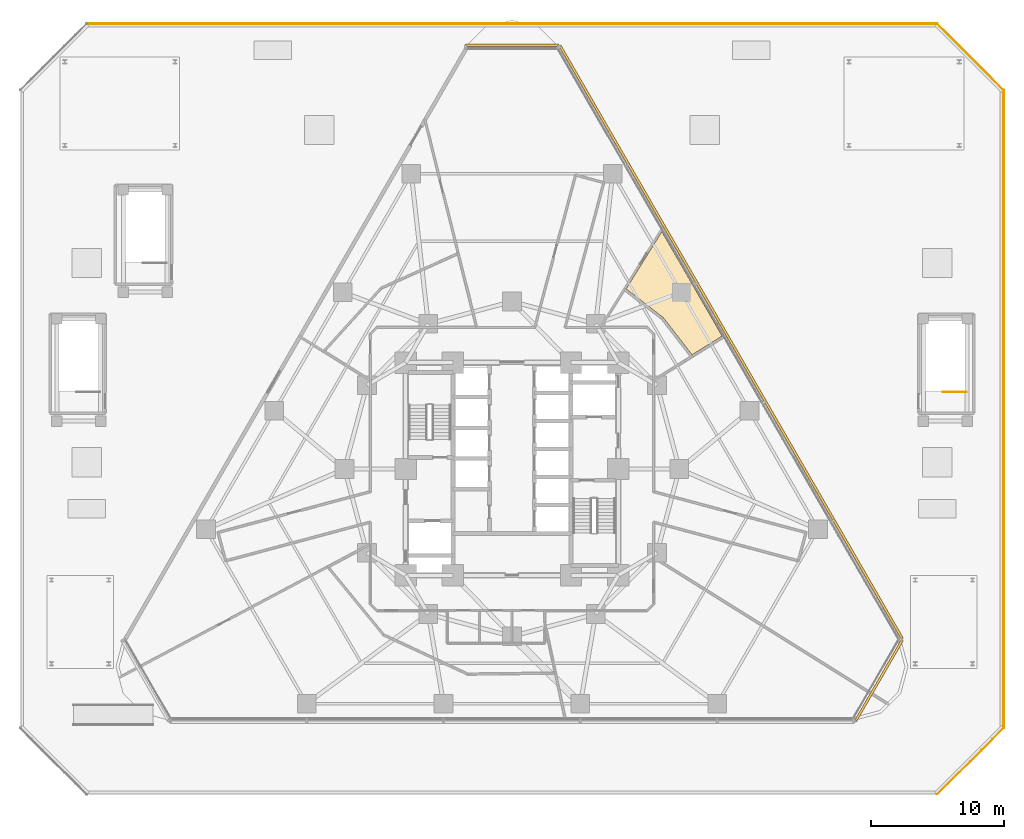
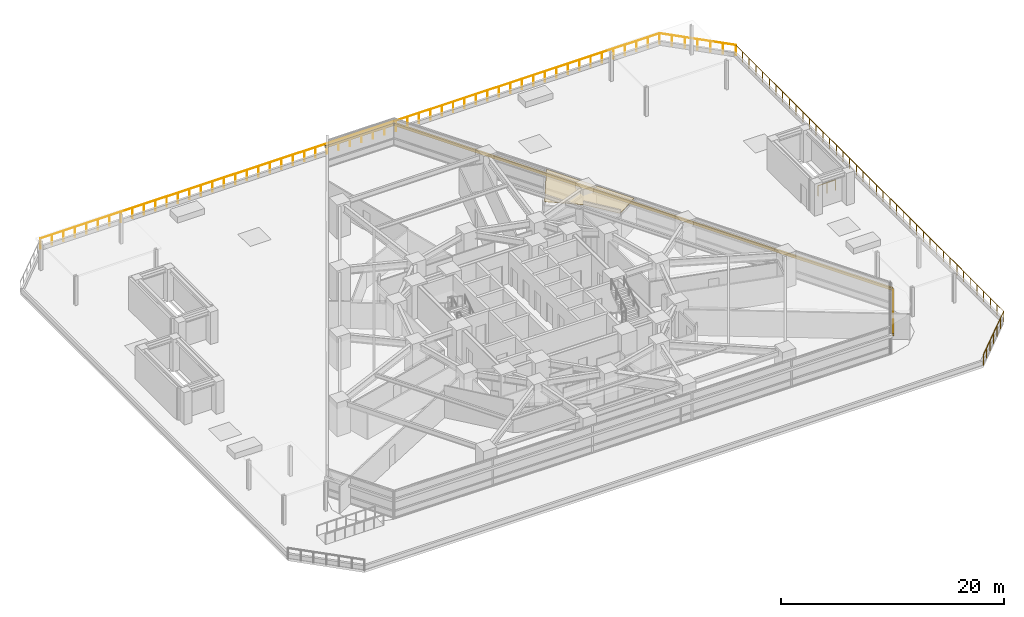
# One storey, part 23 of 23: 5 railings, 3 shading devices, 1 covering.
"""IFC4 building model written with IfcOpenShell, lengths in metres."""

from ifc_helpers import new_model, si_unit, direction, frame, origin, origin_2d, place, context, subcontext, project, spatial, polyline, rectangle, circle, outline, extrude, material, layer, layer_set, type_object, element, save


model = new_model("IFC4")

# Units and contexts
model_context = context("Model", 3, precision=1e-05, world=origin(), true_north=direction((0.0, 1.0)))
body_context = subcontext(model_context, "Body", "Model", "MODEL_VIEW")
ifc_project = project(units=[si_unit("LENGTHUNIT", "METRE"), si_unit("AREAUNIT", "SQUARE_METRE"), si_unit("VOLUMEUNIT", "CUBIC_METRE"), si_unit("PLANEANGLEUNIT", "RADIAN"), si_unit("MASSUNIT", "GRAM", prefix="KILO")], contexts=[model_context])

# Site, building, storey
site_placement = place(None, origin())
site = spatial("IfcSite", under=ifc_project, at=site_placement, CompositionType="ELEMENT")
building_placement = place(site_placement, origin())
building = spatial("IfcBuilding", under=site, at=building_placement, Name="Terralouvre Media Tower", CompositionType="ELEMENT")
storey_placement = place(building_placement, frame((0.0, 0.0, 26.0)))
storey = spatial("IfcBuildingStorey", under=building, at=storey_placement, Name="L05", CompositionType="ELEMENT", Elevation=26.0)

# Covering
ifc_material_1 = material(Name="Perforated aluminium acoustic ceiling baffle", Category="aluminium")
ifc_layer_1 = layer(ifc_material_1, 0.0400390625, Name="Perforated Acoustic Metal Tile Ceiling CL-AC1")
ifc_layer_set_1 = layer_set([ifc_layer_1], Name="Perforated aluminium acoustic ceiling baffle")
covering_type = type_object("IfcCoveringType", Name="Perforated Acoustic Metal Tile Ceiling CL-AC1", PredefinedType="CEILING", material=ifc_layer_set_1)
covering_placement = place(storey_placement, frame((0.0, 0.0, 2.97998046875)))
element("IfcCovering", 1, at=covering_placement, inside=storey, type_object=covering_type, Name="L05 Newsroom Tea Pantry 8 Acoustic Ceiling", PredefinedType="CEILING", context=body_context, shape_type="SweptSolid", body=[
    extrude(outline(polyline([(11.375244140625, 11.39306640625), (11.381591796875, 11.3876953125), (11.3876953125, 11.381591796875), (11.39306640625, 11.375244140625), (13.5517578125, 8.585693359375), (15.815185546875, 10.00048828125), (11.277587890625, 17.85986328125), (8.585693359375, 13.5517578125), (11.375244140625, 11.39306640625)])), origin(), (0.0, 0.0, 1.0), 0.0400390625),
])

# Railings
ifc_material_2 = material(Name="Stainless steel 316 handrail and balustrade", Category="steel")
ifc_layer_2 = layer(ifc_material_2, 0.06005859375, Name="Roof Edge Safety Guardrail GR-ROOF1")
ifc_layer_set_2 = layer_set([ifc_layer_2], Name="Stainless steel 316 handrail and balustrade")
railing_type = type_object("IfcRailingType", Name="Roof Edge Safety Guardrail GR-ROOF1", PredefinedType="GUARDRAIL", material=ifc_layer_set_2)
railing_1_placement = place(storey_placement, frame((32.0, -24.5, 0.0)))
element("IfcRailing", 2, at=railing_1_placement, inside=storey, type_object=railing_type, Name="L05 Raised Garden Perimeter Guardrail Edge 02", PredefinedType="GUARDRAIL", context=body_context, shape_type="SweptSolid", body=[
    extrude(circle(Radius=0.02392578125, at=origin_2d()), frame((0.0, 0.0, 1.1259765625), z_axis=(0.707106781187, 0.707106781187, 0.0), x_axis=(-0.707106781187, 0.707106781187, 0.0)), (0.0, 0.0, 1.0), 7.071044921875),
    extrude(circle(Radius=0.02099609375, at=origin_2d()), origin(), (0.0, 0.0, 1.0), 1.101806640625),
    extrude(circle(Radius=0.02099609375, at=origin_2d()), frame((0.833251953125, 0.833251953125, 0.0)), (0.0, 0.0, 1.0), 1.101806640625),
    extrude(circle(Radius=0.02099609375, at=origin_2d()), frame((1.666748046875, 1.666748046875, 0.0)), (0.0, 0.0, 1.0), 1.101806640625),
    extrude(circle(Radius=0.02099609375, at=origin_2d()), frame((2.5, 2.5, 0.0)), (0.0, 0.0, 1.0), 1.101806640625),
    extrude(circle(Radius=0.02099609375, at=origin_2d()), frame((3.333251953125, 3.333251953125, 0.0)), (0.0, 0.0, 1.0), 1.101806640625),
    extrude(circle(Radius=0.02099609375, at=origin_2d()), frame((4.166748046875, 4.166748046875, 0.0)), (0.0, 0.0, 1.0), 1.101806640625),
    extrude(circle(Radius=0.02099609375, at=origin_2d()), frame((5.0, 5.0, 0.0)), (0.0, 0.0, 1.0), 1.101806640625),
])
railing_2_placement = place(storey_placement, frame((37.0, -19.5, 0.0)))
element("IfcRailing", 3, at=railing_2_placement, inside=storey, type_object=railing_type, Name="L05 Raised Garden Perimeter Guardrail Edge 03", PredefinedType="GUARDRAIL", context=body_context, shape_type="SweptSolid", body=[
    extrude(circle(Radius=0.02392578125, at=origin_2d()), frame((0.0, 0.0, 1.1259765625), z_axis=(0.0, 1.0, 0.0), x_axis=(-1.0, 0.0, 0.0)), (0.0, 0.0, 1.0), 48.0),
    extrude(circle(Radius=0.02099609375, at=origin_2d()), origin(), (0.0, 0.0, 1.0), 1.101806640625),
    extrude(circle(Radius=0.02099609375, at=origin_2d()), frame((0.0, 1.199951171875, 0.0)), (0.0, 0.0, 1.0), 1.101806640625),
    extrude(circle(Radius=0.02099609375, at=origin_2d()), frame((0.0, 2.39990234375, 0.0)), (0.0, 0.0, 1.0), 1.101806640625),
    extrude(circle(Radius=0.02099609375, at=origin_2d()), frame((0.0, 3.60009765625, 0.0)), (0.0, 0.0, 1.0), 1.101806640625),
    extrude(circle(Radius=0.02099609375, at=origin_2d()), frame((0.0, 4.800048828125, 0.0)), (0.0, 0.0, 1.0), 1.101806640625),
    extrude(circle(Radius=0.02099609375, at=origin_2d()), frame((0.0, 6.0, 0.0)), (0.0, 0.0, 1.0), 1.101806640625),
    extrude(circle(Radius=0.02099609375, at=origin_2d()), frame((0.0, 7.199951171875, 0.0)), (0.0, 0.0, 1.0), 1.101806640625),
    extrude(circle(Radius=0.02099609375, at=origin_2d()), frame((0.0, 8.39990234375, 0.0)), (0.0, 0.0, 1.0), 1.101806640625),
    extrude(circle(Radius=0.02099609375, at=origin_2d()), frame((0.0, 9.60009765625, 0.0)), (0.0, 0.0, 1.0), 1.101806640625),
    extrude(circle(Radius=0.02099609375, at=origin_2d()), frame((0.0, 10.800048828125, 0.0)), (0.0, 0.0, 1.0), 1.101806640625),
    extrude(circle(Radius=0.02099609375, at=origin_2d()), frame((0.0, 12.0, 0.0)), (0.0, 0.0, 1.0), 1.101806640625),
    extrude(circle(Radius=0.02099609375, at=origin_2d()), frame((0.0, 13.199951171875, 0.0)), (0.0, 0.0, 1.0), 1.101806640625),
    extrude(circle(Radius=0.02099609375, at=origin_2d()), frame((0.0, 14.39990234375, 0.0)), (0.0, 0.0, 1.0), 1.101806640625),
    extrude(circle(Radius=0.02099609375, at=origin_2d()), frame((0.0, 15.60009765625, 0.0)), (0.0, 0.0, 1.0), 1.101806640625),
    extrude(circle(Radius=0.02099609375, at=origin_2d()), frame((0.0, 16.800048828125, 0.0)), (0.0, 0.0, 1.0), 1.101806640625),
    extrude(circle(Radius=0.02099609375, at=origin_2d()), frame((0.0, 18.0, 0.0)), (0.0, 0.0, 1.0), 1.101806640625),
    extrude(circle(Radius=0.02099609375, at=origin_2d()), frame((0.0, 19.199951171875, 0.0)), (0.0, 0.0, 1.0), 1.101806640625),
    extrude(circle(Radius=0.02099609375, at=origin_2d()), frame((0.0, 20.39990234375, 0.0)), (0.0, 0.0, 1.0), 1.101806640625),
    extrude(circle(Radius=0.02099609375, at=origin_2d()), frame((0.0, 21.60009765625, 0.0)), (0.0, 0.0, 1.0), 1.101806640625),
    extrude(circle(Radius=0.02099609375, at=origin_2d()), frame((0.0, 22.800048828125, 0.0)), (0.0, 0.0, 1.0), 1.101806640625),
    extrude(circle(Radius=0.02099609375, at=origin_2d()), frame((0.0, 24.0, 0.0)), (0.0, 0.0, 1.0), 1.101806640625),
    extrude(circle(Radius=0.02099609375, at=origin_2d()), frame((0.0, 25.199951171875, 0.0)), (0.0, 0.0, 1.0), 1.101806640625),
    extrude(circle(Radius=0.02099609375, at=origin_2d()), frame((0.0, 26.39990234375, 0.0)), (0.0, 0.0, 1.0), 1.101806640625),
    extrude(circle(Radius=0.02099609375, at=origin_2d()), frame((0.0, 27.60009765625, 0.0)), (0.0, 0.0, 1.0), 1.101806640625),
    extrude(circle(Radius=0.02099609375, at=origin_2d()), frame((0.0, 28.800048828125, 0.0)), (0.0, 0.0, 1.0), 1.101806640625),
    extrude(circle(Radius=0.02099609375, at=origin_2d()), frame((0.0, 30.0, 0.0)), (0.0, 0.0, 1.0), 1.101806640625),
    extrude(circle(Radius=0.02099609375, at=origin_2d()), frame((0.0, 31.199951171875, 0.0)), (0.0, 0.0, 1.0), 1.101806640625),
    extrude(circle(Radius=0.02099609375, at=origin_2d()), frame((0.0, 32.39990234375, 0.0)), (0.0, 0.0, 1.0), 1.101806640625),
    extrude(circle(Radius=0.02099609375, at=origin_2d()), frame((0.0, 33.60009765625, 0.0)), (0.0, 0.0, 1.0), 1.101806640625),
    extrude(circle(Radius=0.02099609375, at=origin_2d()), frame((0.0, 34.800048828125, 0.0)), (0.0, 0.0, 1.0), 1.101806640625),
    extrude(circle(Radius=0.02099609375, at=origin_2d()), frame((0.0, 36.0, 0.0)), (0.0, 0.0, 1.0), 1.101806640625),
    extrude(circle(Radius=0.02099609375, at=origin_2d()), frame((0.0, 37.199951171875, 0.0)), (0.0, 0.0, 1.0), 1.101806640625),
    extrude(circle(Radius=0.02099609375, at=origin_2d()), frame((0.0, 38.39990234375, 0.0)), (0.0, 0.0, 1.0), 1.101806640625),
    extrude(circle(Radius=0.02099609375, at=origin_2d()), frame((0.0, 39.60009765625, 0.0)), (0.0, 0.0, 1.0), 1.101806640625),
    extrude(circle(Radius=0.02099609375, at=origin_2d()), frame((0.0, 40.800048828125, 0.0)), (0.0, 0.0, 1.0), 1.101806640625),
    extrude(circle(Radius=0.02099609375, at=origin_2d()), frame((0.0, 42.0, 0.0)), (0.0, 0.0, 1.0), 1.101806640625),
    extrude(circle(Radius=0.02099609375, at=origin_2d()), frame((0.0, 43.199951171875, 0.0)), (0.0, 0.0, 1.0), 1.101806640625),
    extrude(circle(Radius=0.02099609375, at=origin_2d()), frame((0.0, 44.39990234375, 0.0)), (0.0, 0.0, 1.0), 1.101806640625),
    extrude(circle(Radius=0.02099609375, at=origin_2d()), frame((0.0, 45.60009765625, 0.0)), (0.0, 0.0, 1.0), 1.101806640625),
    extrude(circle(Radius=0.02099609375, at=origin_2d()), frame((0.0, 46.800048828125, 0.0)), (0.0, 0.0, 1.0), 1.101806640625),
    extrude(circle(Radius=0.02099609375, at=origin_2d()), frame((0.0, 48.0, 0.0)), (0.0, 0.0, 1.0), 1.101806640625),
])
railing_3_placement = place(storey_placement, frame((37.0, 28.5, 0.0)))
element("IfcRailing", 4, at=railing_3_placement, inside=storey, type_object=railing_type, Name="L05 Raised Garden Perimeter Guardrail Edge 04", PredefinedType="GUARDRAIL", context=body_context, shape_type="SweptSolid", body=[
    extrude(circle(Radius=0.02392578125, at=origin_2d()), frame((0.0, 0.0, 1.1259765625), z_axis=(-0.707106781187, 0.707106781187, 0.0), x_axis=(-0.707106781187, -0.707106781187, 0.0)), (0.0, 0.0, 1.0), 7.071044921875),
    extrude(circle(Radius=0.02099609375, at=origin_2d()), origin(), (0.0, 0.0, 1.0), 1.101806640625),
    extrude(circle(Radius=0.02099609375, at=origin_2d()), frame((-0.833251953125, 0.833251953125, 0.0)), (0.0, 0.0, 1.0), 1.101806640625),
    extrude(circle(Radius=0.02099609375, at=origin_2d()), frame((-1.666748046875, 1.666748046875, 0.0)), (0.0, 0.0, 1.0), 1.101806640625),
    extrude(circle(Radius=0.02099609375, at=origin_2d()), frame((-2.5, 2.5, 0.0)), (0.0, 0.0, 1.0), 1.101806640625),
    extrude(circle(Radius=0.02099609375, at=origin_2d()), frame((-3.333251953125, 3.333251953125, 0.0)), (0.0, 0.0, 1.0), 1.101806640625),
    extrude(circle(Radius=0.02099609375, at=origin_2d()), frame((-4.166748046875, 4.166748046875, 0.0)), (0.0, 0.0, 1.0), 1.101806640625),
    extrude(circle(Radius=0.02099609375, at=origin_2d()), frame((-5.0, 5.0, 0.0)), (0.0, 0.0, 1.0), 1.101806640625),
])
railing_4_placement = place(storey_placement, frame((32.0, 33.5, 0.0)))
element("IfcRailing", 5, at=railing_4_placement, inside=storey, type_object=railing_type, Name="L05 Raised Garden Perimeter Guardrail Edge 05", PredefinedType="GUARDRAIL", context=body_context, shape_type="SweptSolid", body=[
    extrude(circle(Radius=0.02392578125, at=origin_2d()), frame((0.0, 0.0, 1.1259765625), z_axis=(-1.0, 0.0, 0.0), x_axis=(0.0, -1.0, 0.0)), (0.0, 0.0, 1.0), 64.0),
    extrude(circle(Radius=0.02099609375, at=origin_2d()), origin(), (0.0, 0.0, 1.0), 1.101806640625),
    extrude(circle(Radius=0.02099609375, at=origin_2d()), frame((-1.185302734375, 0.0, 0.0)), (0.0, 0.0, 1.0), 1.101806640625),
    extrude(circle(Radius=0.02099609375, at=origin_2d()), frame((-2.370361328125, 0.0, 0.0)), (0.0, 0.0, 1.0), 1.101806640625),
    extrude(circle(Radius=0.02099609375, at=origin_2d()), frame((-3.5556640625, 0.0, 0.0)), (0.0, 0.0, 1.0), 1.101806640625),
    extrude(circle(Radius=0.02099609375, at=origin_2d()), frame((-4.74072265625, 0.0, 0.0)), (0.0, 0.0, 1.0), 1.101806640625),
    extrude(circle(Radius=0.02099609375, at=origin_2d()), frame((-5.926025390625, 0.0, 0.0)), (0.0, 0.0, 1.0), 1.101806640625),
    extrude(circle(Radius=0.02099609375, at=origin_2d()), frame((-7.111083984375, 0.0, 0.0)), (0.0, 0.0, 1.0), 1.101806640625),
    extrude(circle(Radius=0.02099609375, at=origin_2d()), frame((-8.29638671875, 0.0, 0.0)), (0.0, 0.0, 1.0), 1.101806640625),
    extrude(circle(Radius=0.02099609375, at=origin_2d()), frame((-9.4814453125, 0.0, 0.0)), (0.0, 0.0, 1.0), 1.101806640625),
    extrude(circle(Radius=0.02099609375, at=origin_2d()), frame((-10.666748046875, 0.0, 0.0)), (0.0, 0.0, 1.0), 1.101806640625),
    extrude(circle(Radius=0.02099609375, at=origin_2d()), frame((-11.851806640625, 0.0, 0.0)), (0.0, 0.0, 1.0), 1.101806640625),
    extrude(circle(Radius=0.02099609375, at=origin_2d()), frame((-13.037109375, 0.0, 0.0)), (0.0, 0.0, 1.0), 1.101806640625),
    extrude(circle(Radius=0.02099609375, at=origin_2d()), frame((-14.22216796875, 0.0, 0.0)), (0.0, 0.0, 1.0), 1.101806640625),
    extrude(circle(Radius=0.02099609375, at=origin_2d()), frame((-15.407470703125, 0.0, 0.0)), (0.0, 0.0, 1.0), 1.101806640625),
    extrude(circle(Radius=0.02099609375, at=origin_2d()), frame((-16.592529296875, 0.0, 0.0)), (0.0, 0.0, 1.0), 1.101806640625),
    extrude(circle(Radius=0.02099609375, at=origin_2d()), frame((-17.77783203125, 0.0, 0.0)), (0.0, 0.0, 1.0), 1.101806640625),
    extrude(circle(Radius=0.02099609375, at=origin_2d()), frame((-18.962890625, 0.0, 0.0)), (0.0, 0.0, 1.0), 1.101806640625),
    extrude(circle(Radius=0.02099609375, at=origin_2d()), frame((-20.148193359375, 0.0, 0.0)), (0.0, 0.0, 1.0), 1.101806640625),
    extrude(circle(Radius=0.02099609375, at=origin_2d()), frame((-21.333251953125, 0.0, 0.0)), (0.0, 0.0, 1.0), 1.101806640625),
    extrude(circle(Radius=0.02099609375, at=origin_2d()), frame((-22.5185546875, 0.0, 0.0)), (0.0, 0.0, 1.0), 1.101806640625),
    extrude(circle(Radius=0.02099609375, at=origin_2d()), frame((-23.70361328125, 0.0, 0.0)), (0.0, 0.0, 1.0), 1.101806640625),
    extrude(circle(Radius=0.02099609375, at=origin_2d()), frame((-24.888916015625, 0.0, 0.0)), (0.0, 0.0, 1.0), 1.101806640625),
    extrude(circle(Radius=0.02099609375, at=origin_2d()), frame((-26.073974609375, 0.0, 0.0)), (0.0, 0.0, 1.0), 1.101806640625),
    extrude(circle(Radius=0.02099609375, at=origin_2d()), frame((-27.25927734375, 0.0, 0.0)), (0.0, 0.0, 1.0), 1.101806640625),
    extrude(circle(Radius=0.02099609375, at=origin_2d()), frame((-28.4443359375, 0.0, 0.0)), (0.0, 0.0, 1.0), 1.101806640625),
    extrude(circle(Radius=0.02099609375, at=origin_2d()), frame((-29.629638671875, 0.0, 0.0)), (0.0, 0.0, 1.0), 1.101806640625),
    extrude(circle(Radius=0.02099609375, at=origin_2d()), frame((-30.814697265625, 0.0, 0.0)), (0.0, 0.0, 1.0), 1.101806640625),
    extrude(circle(Radius=0.02099609375, at=origin_2d()), frame((-32.0, 0.0, 0.0)), (0.0, 0.0, 1.0), 1.101806640625),
    extrude(circle(Radius=0.02099609375, at=origin_2d()), frame((-33.185302734375, 0.0, 0.0)), (0.0, 0.0, 1.0), 1.101806640625),
    extrude(circle(Radius=0.02099609375, at=origin_2d()), frame((-34.370361328125, 0.0, 0.0)), (0.0, 0.0, 1.0), 1.101806640625),
    extrude(circle(Radius=0.02099609375, at=origin_2d()), frame((-35.5556640625, 0.0, 0.0)), (0.0, 0.0, 1.0), 1.101806640625),
    extrude(circle(Radius=0.02099609375, at=origin_2d()), frame((-36.74072265625, 0.0, 0.0)), (0.0, 0.0, 1.0), 1.101806640625),
    extrude(circle(Radius=0.02099609375, at=origin_2d()), frame((-37.926025390625, 0.0, 0.0)), (0.0, 0.0, 1.0), 1.101806640625),
    extrude(circle(Radius=0.02099609375, at=origin_2d()), frame((-39.111083984375, 0.0, 0.0)), (0.0, 0.0, 1.0), 1.101806640625),
    extrude(circle(Radius=0.02099609375, at=origin_2d()), frame((-40.29638671875, 0.0, 0.0)), (0.0, 0.0, 1.0), 1.101806640625),
    extrude(circle(Radius=0.02099609375, at=origin_2d()), frame((-41.4814453125, 0.0, 0.0)), (0.0, 0.0, 1.0), 1.101806640625),
    extrude(circle(Radius=0.02099609375, at=origin_2d()), frame((-42.666748046875, 0.0, 0.0)), (0.0, 0.0, 1.0), 1.101806640625),
    extrude(circle(Radius=0.02099609375, at=origin_2d()), frame((-43.851806640625, 0.0, 0.0)), (0.0, 0.0, 1.0), 1.101806640625),
    extrude(circle(Radius=0.02099609375, at=origin_2d()), frame((-45.037109375, 0.0, 0.0)), (0.0, 0.0, 1.0), 1.101806640625),
    extrude(circle(Radius=0.02099609375, at=origin_2d()), frame((-46.22216796875, 0.0, 0.0)), (0.0, 0.0, 1.0), 1.101806640625),
    extrude(circle(Radius=0.02099609375, at=origin_2d()), frame((-47.407470703125, 0.0, 0.0)), (0.0, 0.0, 1.0), 1.101806640625),
    extrude(circle(Radius=0.02099609375, at=origin_2d()), frame((-48.592529296875, 0.0, 0.0)), (0.0, 0.0, 1.0), 1.101806640625),
    extrude(circle(Radius=0.02099609375, at=origin_2d()), frame((-49.77783203125, 0.0, 0.0)), (0.0, 0.0, 1.0), 1.101806640625),
    extrude(circle(Radius=0.02099609375, at=origin_2d()), frame((-50.962890625, 0.0, 0.0)), (0.0, 0.0, 1.0), 1.101806640625),
    extrude(circle(Radius=0.02099609375, at=origin_2d()), frame((-52.148193359375, 0.0, 0.0)), (0.0, 0.0, 1.0), 1.101806640625),
    extrude(circle(Radius=0.02099609375, at=origin_2d()), frame((-53.333251953125, 0.0, 0.0)), (0.0, 0.0, 1.0), 1.101806640625),
    extrude(circle(Radius=0.02099609375, at=origin_2d()), frame((-54.5185546875, 0.0, 0.0)), (0.0, 0.0, 1.0), 1.101806640625),
    extrude(circle(Radius=0.02099609375, at=origin_2d()), frame((-55.70361328125, 0.0, 0.0)), (0.0, 0.0, 1.0), 1.101806640625),
    extrude(circle(Radius=0.02099609375, at=origin_2d()), frame((-56.888916015625, 0.0, 0.0)), (0.0, 0.0, 1.0), 1.101806640625),
    extrude(circle(Radius=0.02099609375, at=origin_2d()), frame((-58.073974609375, 0.0, 0.0)), (0.0, 0.0, 1.0), 1.101806640625),
    extrude(circle(Radius=0.02099609375, at=origin_2d()), frame((-59.25927734375, 0.0, 0.0)), (0.0, 0.0, 1.0), 1.101806640625),
    extrude(circle(Radius=0.02099609375, at=origin_2d()), frame((-60.4443359375, 0.0, 0.0)), (0.0, 0.0, 1.0), 1.101806640625),
    extrude(circle(Radius=0.02099609375, at=origin_2d()), frame((-61.629638671875, 0.0, 0.0)), (0.0, 0.0, 1.0), 1.101806640625),
    extrude(circle(Radius=0.02099609375, at=origin_2d()), frame((-62.814697265625, 0.0, 0.0)), (0.0, 0.0, 1.0), 1.101806640625),
    extrude(circle(Radius=0.02099609375, at=origin_2d()), frame((-64.0, 0.0, 0.0)), (0.0, 0.0, 1.0), 1.101806640625),
])
railing_5_placement = place(storey_placement, frame((34.199951171875, 5.800048828125, 0.0)))
element("IfcRailing", 6, at=railing_5_placement, inside=storey, type_object=railing_type, Name="L05 ST-04 top well guard 1", PredefinedType="GUARDRAIL", context=body_context, shape_type="SweptSolid", body=[
    extrude(circle(Radius=0.02392578125, at=origin_2d()), frame((0.0, 0.0, 1.1259765625), z_axis=(-1.0, 0.0, 0.0), x_axis=(0.0, -1.0, 0.0)), (0.0, 0.0, 1.0), 1.780029296875),
    extrude(circle(Radius=0.02099609375, at=origin_2d()), origin(), (0.0, 0.0, 1.0), 1.101806640625),
    extrude(circle(Radius=0.02099609375, at=origin_2d()), frame((-0.89013671875, 0.0, 0.0)), (0.0, 0.0, 1.0), 1.101806640625),
    extrude(circle(Radius=0.02099609375, at=origin_2d()), frame((-1.780029296875, 0.0, 0.0)), (0.0, 0.0, 1.0), 1.101806640625),
])

# Shading devices
ifc_material_3 = material(Name="Extruded terracotta baguette sunshade louvres", Category="masonry")
shading_device_type = type_object("IfcShadingDeviceType", Name="Terracotta Baguette Sunshade Louvre Screen TB-LV1", PredefinedType="USERDEFINED", material=ifc_material_3)
shading_device_placement = place(storey_placement, frame((16.503662109375, 9.5283203125, 2.02392578125), z_axis=(0.0, 0.0, 1.0), x_axis=(-0.499999985671, 0.866025412057, 0.0)))
element("IfcShadingDevice", 7, at=shading_device_placement, inside=storey, type_object=shading_device_type, Name="CW-L05-F1 Terracotta Baguette Sunshade Louvre", ObjectType="BAGUETTE", PredefinedType="USERDEFINED", context=body_context, shape_type="SweptSolid", body=[
    extrude(rectangle(XDim=51.5, YDim=0.179931640625, at=origin_2d()), origin(), (0.0, 0.0, 1.0), 0.280029296875),
])
for number, where, z_axis, x_axis, name in (
    (8, (27.607666015625, -15.939208984375, 2.02392578125), (0.0, 0.0, 1.0), (0.499999691503, 0.866025581895, 0.0), "CW-L05-C1 Terracotta Baguette Sunshade Louvre"),
    (9, (0.0, 31.87841796875, 2.02392578125), (0.0, 0.0, 1.0), (-1.0, 0.0, 0.0), "CW-L05-C2 Terracotta Baguette Sunshade Louvre"),
):
    element("IfcShadingDevice", number, at=place(storey_placement, frame(where, z_axis=z_axis, x_axis=x_axis)), inside=storey, type_object=shading_device_type, Name=name, ObjectType="BAGUETTE", PredefinedType="USERDEFINED", context=body_context, shape_type="SweptSolid", body=[
        extrude(rectangle(XDim=7.014892578125, YDim=0.179931640625, at=origin_2d()), origin(), (0.0, 0.0, 1.0), 0.280029296875),
    ])

save(model, "model.ifc")
